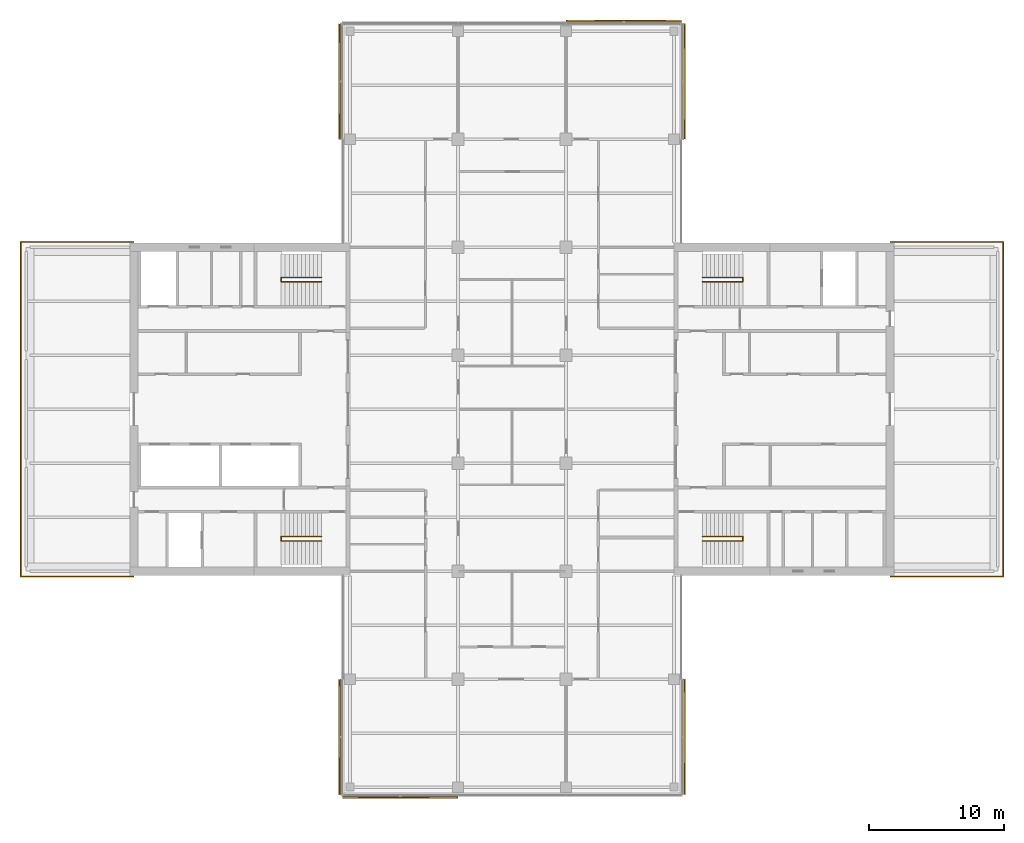
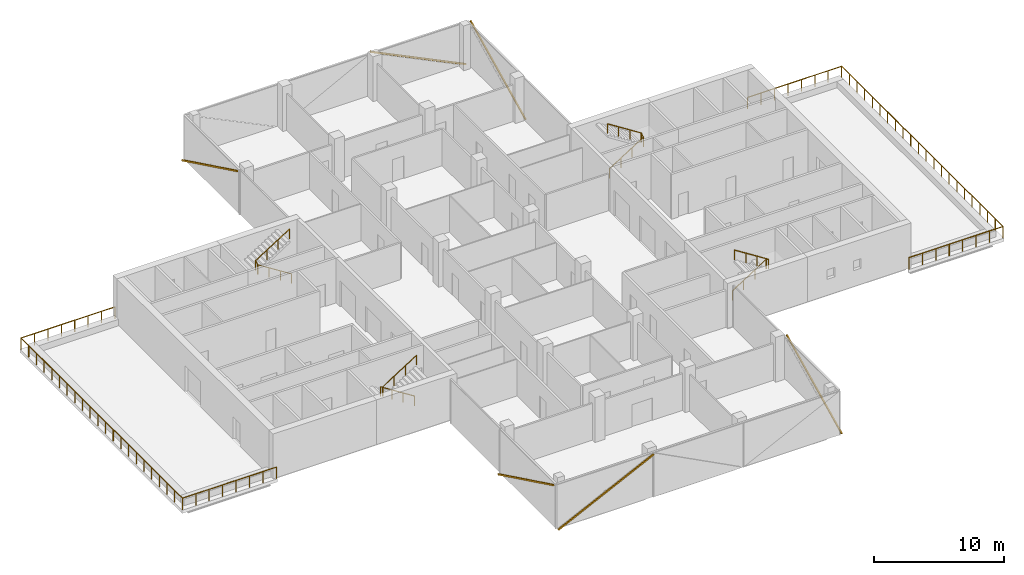
# One storey, part 18 of 18: 6 railings, 6 shading devices, 6 elements without a shape of their own.
"""IFC4 building model written with IfcOpenShell, lengths in metres."""

import ifcopenshell
import ifcopenshell.guid

model = None  # the IFC model being written
_history = None  # IfcOwnerHistory: only IFC2X3 demands one
_inside = {}  # id of a spatial element -> (the spatial element, [elements in it])
_under = {}  # id of a project, library or spatial element -> (it, [spatial elements below it])
_declared = {}  # id of a project -> (the project, [libraries it declares])
_typed = {}  # id of a type object -> (the type object, [elements of that type])
_made_of = {}  # id of a material, layer set ... -> (it, [elements and type objects made of it])


def new_model(schema):
    """Start an empty IFC model of exactly this schema.

    Asked for "IFC4X3", IfcOpenShell would pick the latest addendum, in which some entities
    have other attributes; the version numbers below select the first issue.
    IFC2X3 requires an IfcOwnerHistory on every rooted entity: one is made here for all.
    """
    global model, _history
    if schema == "IFC4X3":
        model = ifcopenshell.file(schema_version=(4, 3, 0, 0))
    else:
        model = ifcopenshell.file(schema=schema)
    _inside.clear()
    _under.clear()
    _declared.clear()
    _typed.clear()
    _made_of.clear()
    _history = None
    if model.schema == "IFC2X3":
        org = make("IfcOrganization", Name="unknown")
        user = make(
            "IfcPersonAndOrganization",
            ThePerson=make("IfcPerson", FamilyName="unknown"),
            TheOrganization=org,
        )
        app = make(
            "IfcApplication",
            ApplicationDeveloper=org,
            Version="unknown",
            ApplicationFullName="unknown",
            ApplicationIdentifier="unknown",
        )
        _history = make(
            "IfcOwnerHistory",
            OwningUser=user,
            OwningApplication=app,
            ChangeAction="ADDED",
            CreationDate=0,
        )
    return model


def make(cls, **values):
    """One entity of the class cls with the attributes given. An attribute that is None is left unset."""
    return model.create_entity(
        cls, **{name: value for name, value in values.items() if value is not None}
    )


def rooted(cls, **values):
    """An entity with a GlobalId (a new one), such as an element, a storey or a relation."""
    return make(cls, GlobalId=ifcopenshell.guid.new(), OwnerHistory=_history, **values)


def si_unit(unit_type, name, prefix=None):
    """IfcSIUnit, for example si_unit("LENGTHUNIT", "METRE", prefix="MILLI")."""
    return make("IfcSIUnit", UnitType=unit_type, Prefix=prefix, Name=name)


def assignment(units):
    """IfcUnitAssignment: the units of a project."""
    return None if units is None else make("IfcUnitAssignment", Units=units)


def point(xyz):
    """IfcCartesianPoint."""
    return None if xyz is None else make("IfcCartesianPoint", Coordinates=xyz)


def direction(xyz):
    """IfcDirection."""
    return None if xyz is None else make("IfcDirection", DirectionRatios=xyz)


def frame(location, z_axis=None, x_axis=None):
    """IfcAxis2Placement3D, a coordinate frame: its origin and axes. An axis left out is left unset."""
    return make(
        "IfcAxis2Placement3D",
        Location=point(location),
        Axis=direction(z_axis),
        RefDirection=direction(x_axis),
    )


def frame_2d(location, x_axis=None):
    """IfcAxis2Placement2D, a coordinate frame in the plane: its origin and x axis."""
    return make(
        "IfcAxis2Placement2D", Location=point(location), RefDirection=direction(x_axis)
    )


def origin():
    """The frame at (0, 0, 0) with its axes left unset."""
    return frame((0.0, 0.0, 0.0))


def origin_2d():
    """The frame at (0, 0) in the plane with its x axis left unset."""
    return frame_2d((0.0, 0.0))


def place(relative_to, where):
    """IfcLocalPlacement: puts the frame where relative to a parent placement (None: the world)."""
    return make(
        "IfcLocalPlacement", PlacementRelTo=relative_to, RelativePlacement=where
    )


def context(
    kind, dimensions, precision=None, world=None, true_north=None, identifier=None
):
    """IfcGeometricRepresentationContext, for example the 3D "Model" context."""
    return make(
        "IfcGeometricRepresentationContext",
        ContextIdentifier=identifier,
        ContextType=kind,
        CoordinateSpaceDimension=dimensions,
        Precision=precision,
        WorldCoordinateSystem=world,
        TrueNorth=true_north,
    )


def subcontext(parent, identifier, kind, view, scale=None):
    """IfcGeometricRepresentationSubContext, for example "Body" below "Model"."""
    return make(
        "IfcGeometricRepresentationSubContext",
        ContextIdentifier=identifier,
        ContextType=kind,
        ParentContext=parent,
        TargetScale=scale,
        TargetView=view,
    )


def project(units=None, contexts=None):
    """IfcProject with its units and contexts."""
    return rooted(
        "IfcProject",
        Name="project",
        RepresentationContexts=contexts,
        UnitsInContext=assignment(units),
    )


def spatial(cls, under=None, at=None, **own):
    """A site, building, storey or space (cls), placed at a placement, below another one or the project."""
    s = rooted(cls, ObjectPlacement=at, **own)
    if under is not None:
        _under.setdefault(under.id(), (under, []))[1].append(s)
    return s


def profile(cls, at=None, kind="AREA", **sizes):
    """A parametric profile (cls). Its sizes go by their IFC names, for example OverallWidth=200.0."""
    return make(cls, ProfileType=kind, Position=at, **sizes)


def rectangle(**sizes):
    """IfcRectangleProfileDef."""
    return profile("IfcRectangleProfileDef", **sizes)


def circle(**sizes):
    """IfcCircleProfileDef."""
    return profile("IfcCircleProfileDef", **sizes)


def extrude(swept, where, along, depth):
    """IfcExtrudedAreaSolid: the profile swept, set in the frame where, extruded along a direction by depth."""
    return make(
        "IfcExtrudedAreaSolid",
        SweptArea=swept,
        Position=where,
        ExtrudedDirection=direction(along),
        Depth=depth,
    )


def shape(context_of_items, identifier, shape_type, items):
    """IfcShapeRepresentation: the items that make up one representation, for example the "Body"."""
    return make(
        "IfcShapeRepresentation",
        ContextOfItems=context_of_items,
        RepresentationIdentifier=identifier,
        RepresentationType=shape_type,
        Items=items,
    )


def material(Name=None, Category=None):
    """IfcMaterial."""
    return make("IfcMaterial", Name=Name, Category=Category)


def material_profile(
    of_material, cross_section, Name=None, Category=None, Priority=None
):
    """IfcMaterialProfile: a cross section and its material."""
    return make(
        "IfcMaterialProfile",
        Name=Name,
        Material=of_material,
        Profile=cross_section,
        Priority=Priority,
        Category=Category,
    )


def profile_set(profiles, Name=None, composite=None):
    """IfcMaterialProfileSet."""
    return make(
        "IfcMaterialProfileSet",
        Name=Name,
        MaterialProfiles=profiles,
        CompositeProfile=composite,
    )


def made_of(thing, what):
    """Note that an element or type object is made of a material, layer set ...; save() writes the relation."""
    if what is not None:
        _made_of.setdefault(what.id(), (what, []))[1].append(thing)
    return thing


def type_object(cls, material=None, **own):
    """A type object (cls), such as IfcWallType, which elements share."""
    return made_of(rooted(cls, **own), material)


def element(
    cls,
    number,
    at=None,
    inside=None,
    cuts=None,
    type_object=None,
    material=None,
    context=None,
    identifier="Body",
    shape_type=None,
    held_by="IfcProductDefinitionShape",
    body=None,
    shapes=None,
    **own,
):
    """One element of the class cls, such as IfcWall. Its Tag is "e" and its number.

    at: its placement. inside: the storey or other place that contains it. cuts: it is an
    opening in that element (IfcRelVoidsElement). A single representation is given by context,
    identifier, shape_type and body (its items); several are given by shapes. held_by: the class
    of the entity that holds the representations. save() writes the other relations.
    """
    e = rooted(cls, Tag="e%d" % number, ObjectPlacement=at, **own)
    if body is not None:
        shapes = [shape(context, identifier, shape_type, body)]
    if shapes is not None:
        e.Representation = make(held_by, Representations=shapes)
    if inside is not None:
        _inside.setdefault(inside.id(), (inside, []))[1].append(e)
    if cuts is not None:
        rooted(
            "IfcRelVoidsElement", RelatingBuildingElement=cuts, RelatedOpeningElement=e
        )
    if type_object is not None:
        _typed.setdefault(type_object.id(), (type_object, []))[1].append(e)
    return made_of(e, material)


def aggregate(whole, parts):
    """IfcRelAggregates: a whole, such as a stair, and the parts it consists of."""
    return rooted("IfcRelAggregates", RelatingObject=whole, RelatedObjects=parts)


def save(model, path):
    """Write the relations noted so far, then the file.

    IfcRelAggregates (storeys below a building ...), IfcRelContainedInSpatialStructure (elements
    in a storey), IfcRelDefinesByType, IfcRelAssociatesMaterial and IfcRelDeclares: one each for
    every whole, place, type object, material and project.
    """
    for whole, parts in _under.values():
        aggregate(whole, parts)
    for where, things in _inside.values():
        rooted(
            "IfcRelContainedInSpatialStructure",
            RelatedElements=things,
            RelatingStructure=where,
        )
    for kind, things in _typed.values():
        rooted("IfcRelDefinesByType", RelatedObjects=things, RelatingType=kind)
    for what, things in _made_of.values():
        rooted("IfcRelAssociatesMaterial", RelatedObjects=things, RelatingMaterial=what)
    for by, libraries in _declared.values():
        rooted("IfcRelDeclares", RelatingContext=by, RelatedDefinitions=libraries)
    model.write(path)


model = new_model("IFC4")

# Units and contexts
model_context = context("Model", 3, precision=1e-05, world=origin(), true_north=direction((0.0, 1.0)))
body_context = subcontext(model_context, "Body", "Model", "MODEL_VIEW")
ifc_project = project(units=[si_unit("LENGTHUNIT", "METRE"), si_unit("AREAUNIT", "SQUARE_METRE"), si_unit("VOLUMEUNIT", "CUBIC_METRE"), si_unit("PLANEANGLEUNIT", "RADIAN"), si_unit("MASSUNIT", "GRAM", prefix="KILO")], contexts=[model_context])

# Site, building, storey
site_placement = place(None, origin())
site = spatial("IfcSite", under=ifc_project, at=site_placement, CompositionType="ELEMENT")
building_placement = place(site_placement, origin())
building = spatial("IfcBuilding", under=site, at=building_placement, Name="Crosswind Convention Tower", CompositionType="ELEMENT")
storey_placement = place(building_placement, frame((0.0, 0.0, 178.89990234375)))
storey = spatial("IfcBuildingStorey", under=building, at=storey_placement, Name="L37", CompositionType="ELEMENT", Elevation=178.89990234375)

# Railings
ifc_material_1 = material(Name="Stainless steel", Category="steel")
railing_type_1 = type_object("IfcRailingType", Name="Stair handrail 900", PredefinedType="HANDRAIL", material=ifc_material_1)
railing_1_placement = place(storey_placement, frame((139.10009765625, 109.43994140625, 0.19091796875)))
element("IfcRailing", 1, at=railing_1_placement, inside=storey, type_object=railing_type_1, Name="Stair ST1 handrail L37", PredefinedType="HANDRAIL", context=body_context, shape_type="SweptSolid", body=[
    extrude(circle(Radius=0.02392578125, at=origin_2d()), frame((0.0, 0.0, 0.8759765625), z_axis=(0.843650179428, 0.0, 0.536893261973), x_axis=(0.0, 1.0, 0.0)), (0.0, 0.0, 1.0), 3.555908203125),
    extrude(circle(Radius=0.02392578125, at=origin_2d()), frame((3.0, 0.0, 2.78515625), z_axis=(0.0, 0.858819504967, 0.512278301208), x_axis=(-1.0, 0.0, 0.0)), (0.0, 0.0, 1.0), 0.372802734375),
    extrude(circle(Radius=0.02392578125, at=origin_2d()), frame((3.0, 0.320068359375, 2.97607421875), z_axis=(-0.843650179428, 0.0, 0.536893261973), x_axis=(0.0, -1.0, 0.0)), (0.0, 0.0, 1.0), 3.555908203125),
    extrude(circle(Radius=0.02099609375, at=origin_2d()), origin(), (0.0, 0.0, 1.0), 0.851806640625),
    extrude(circle(Radius=0.02099609375, at=origin_2d()), frame((1.0, 0.0, 0.636474609375)), (0.0, 0.0, 1.0), 0.851806640625),
    extrude(circle(Radius=0.02099609375, at=origin_2d()), frame((2.0, 0.0, 1.272705078125)), (0.0, 0.0, 1.0), 0.851806640625),
    extrude(circle(Radius=0.02099609375, at=origin_2d()), frame((3.0, 0.0, 1.9091796875)), (0.0, 0.0, 1.0), 0.851806640625),
    extrude(circle(Radius=0.02099609375, at=origin_2d()), frame((3.0, 0.320068359375, 2.10009765625)), (0.0, 0.0, 1.0), 0.851806640625),
    extrude(circle(Radius=0.02099609375, at=origin_2d()), frame((2.0, 0.320068359375, 2.736572265625)), (0.0, 0.0, 1.0), 0.851806640625),
    extrude(circle(Radius=0.02099609375, at=origin_2d()), frame((1.0, 0.320068359375, 3.372802734375)), (0.0, 0.0, 1.0), 0.851806640625),
    extrude(circle(Radius=0.02099609375, at=origin_2d()), frame((0.0, 0.320068359375, 4.00927734375)), (0.0, 0.0, 1.0), 0.851806640625),
])
railing_2_placement = place(storey_placement, frame((139.10009765625, 90.56005859375, 0.19091796875)))
element("IfcRailing", 2, at=railing_2_placement, inside=storey, type_object=railing_type_1, Name="Stair ST2 handrail L37", PredefinedType="HANDRAIL", context=body_context, shape_type="SweptSolid", body=[
    extrude(circle(Radius=0.02392578125, at=origin_2d()), frame((0.0, 0.0, 0.8759765625), z_axis=(0.843650179428, 0.0, 0.536893261973), x_axis=(0.0, 1.0, 0.0)), (0.0, 0.0, 1.0), 3.555908203125),
    extrude(circle(Radius=0.02392578125, at=origin_2d()), frame((3.0, 0.0, 2.78515625), z_axis=(0.0, -0.858819504967, 0.512278301208), x_axis=(1.0, 0.0, 0.0)), (0.0, 0.0, 1.0), 0.372802734375),
    extrude(circle(Radius=0.02392578125, at=origin_2d()), frame((3.0, -0.320068359375, 2.97607421875), z_axis=(-0.843650179428, 0.0, 0.536893261973), x_axis=(0.0, -1.0, 0.0)), (0.0, 0.0, 1.0), 3.555908203125),
    extrude(circle(Radius=0.02099609375, at=origin_2d()), origin(), (0.0, 0.0, 1.0), 0.851806640625),
    extrude(circle(Radius=0.02099609375, at=origin_2d()), frame((1.0, 0.0, 0.636474609375)), (0.0, 0.0, 1.0), 0.851806640625),
    extrude(circle(Radius=0.02099609375, at=origin_2d()), frame((2.0, 0.0, 1.272705078125)), (0.0, 0.0, 1.0), 0.851806640625),
    extrude(circle(Radius=0.02099609375, at=origin_2d()), frame((3.0, 0.0, 1.9091796875)), (0.0, 0.0, 1.0), 0.851806640625),
    extrude(circle(Radius=0.02099609375, at=origin_2d()), frame((3.0, -0.320068359375, 2.10009765625)), (0.0, 0.0, 1.0), 0.851806640625),
    extrude(circle(Radius=0.02099609375, at=origin_2d()), frame((2.0, -0.320068359375, 2.736572265625)), (0.0, 0.0, 1.0), 0.851806640625),
    extrude(circle(Radius=0.02099609375, at=origin_2d()), frame((1.0, -0.320068359375, 3.372802734375)), (0.0, 0.0, 1.0), 0.851806640625),
    extrude(circle(Radius=0.02099609375, at=origin_2d()), frame((0.0, -0.320068359375, 4.00927734375)), (0.0, 0.0, 1.0), 0.851806640625),
])
railing_3_placement = place(storey_placement, frame((110.89990234375, 90.56005859375, 0.19091796875)))
element("IfcRailing", 3, at=railing_3_placement, inside=storey, type_object=railing_type_1, Name="Stair ST3 handrail L37", PredefinedType="HANDRAIL", context=body_context, shape_type="SweptSolid", body=[
    extrude(circle(Radius=0.02392578125, at=origin_2d()), frame((0.0, 0.0, 0.8759765625), z_axis=(-0.843650179428, 0.0, 0.536893261973), x_axis=(0.0, -1.0, 0.0)), (0.0, 0.0, 1.0), 3.555908203125),
    extrude(circle(Radius=0.02392578125, at=origin_2d()), frame((-3.0, 0.0, 2.78515625), z_axis=(0.0, -0.858819504967, 0.512278301208), x_axis=(1.0, 0.0, 0.0)), (0.0, 0.0, 1.0), 0.372802734375),
    extrude(circle(Radius=0.02392578125, at=origin_2d()), frame((-3.0, -0.320068359375, 2.97607421875), z_axis=(0.843650179428, 0.0, 0.536893261973), x_axis=(0.0, 1.0, 0.0)), (0.0, 0.0, 1.0), 3.555908203125),
    extrude(circle(Radius=0.02099609375, at=origin_2d()), origin(), (0.0, 0.0, 1.0), 0.851806640625),
    extrude(circle(Radius=0.02099609375, at=origin_2d()), frame((-1.0, 0.0, 0.636474609375)), (0.0, 0.0, 1.0), 0.851806640625),
    extrude(circle(Radius=0.02099609375, at=origin_2d()), frame((-2.0, 0.0, 1.272705078125)), (0.0, 0.0, 1.0), 0.851806640625),
    extrude(circle(Radius=0.02099609375, at=origin_2d()), frame((-3.0, 0.0, 1.9091796875)), (0.0, 0.0, 1.0), 0.851806640625),
    extrude(circle(Radius=0.02099609375, at=origin_2d()), frame((-3.0, -0.320068359375, 2.10009765625)), (0.0, 0.0, 1.0), 0.851806640625),
    extrude(circle(Radius=0.02099609375, at=origin_2d()), frame((-2.0, -0.320068359375, 2.736572265625)), (0.0, 0.0, 1.0), 0.851806640625),
    extrude(circle(Radius=0.02099609375, at=origin_2d()), frame((-1.0, -0.320068359375, 3.372802734375)), (0.0, 0.0, 1.0), 0.851806640625),
    extrude(circle(Radius=0.02099609375, at=origin_2d()), frame((0.0, -0.320068359375, 4.00927734375)), (0.0, 0.0, 1.0), 0.851806640625),
])
railing_4_placement = place(storey_placement, frame((110.89990234375, 109.43994140625, 0.19091796875)))
element("IfcRailing", 4, at=railing_4_placement, inside=storey, type_object=railing_type_1, Name="Stair ST4 handrail L37", PredefinedType="HANDRAIL", context=body_context, shape_type="SweptSolid", body=[
    extrude(circle(Radius=0.02392578125, at=origin_2d()), frame((0.0, 0.0, 0.8759765625), z_axis=(-0.843650179428, 0.0, 0.536893261973), x_axis=(0.0, -1.0, 0.0)), (0.0, 0.0, 1.0), 3.555908203125),
    extrude(circle(Radius=0.02392578125, at=origin_2d()), frame((-3.0, 0.0, 2.78515625), z_axis=(0.0, 0.858819504967, 0.512278301208), x_axis=(-1.0, 0.0, 0.0)), (0.0, 0.0, 1.0), 0.372802734375),
    extrude(circle(Radius=0.02392578125, at=origin_2d()), frame((-3.0, 0.320068359375, 2.97607421875), z_axis=(0.843650179428, 0.0, 0.536893261973), x_axis=(0.0, 1.0, 0.0)), (0.0, 0.0, 1.0), 3.555908203125),
    extrude(circle(Radius=0.02099609375, at=origin_2d()), origin(), (0.0, 0.0, 1.0), 0.851806640625),
    extrude(circle(Radius=0.02099609375, at=origin_2d()), frame((-1.0, 0.0, 0.636474609375)), (0.0, 0.0, 1.0), 0.851806640625),
    extrude(circle(Radius=0.02099609375, at=origin_2d()), frame((-2.0, 0.0, 1.272705078125)), (0.0, 0.0, 1.0), 0.851806640625),
    extrude(circle(Radius=0.02099609375, at=origin_2d()), frame((-3.0, 0.0, 1.9091796875)), (0.0, 0.0, 1.0), 0.851806640625),
    extrude(circle(Radius=0.02099609375, at=origin_2d()), frame((-3.0, 0.320068359375, 2.10009765625)), (0.0, 0.0, 1.0), 0.851806640625),
    extrude(circle(Radius=0.02099609375, at=origin_2d()), frame((-2.0, 0.320068359375, 2.736572265625)), (0.0, 0.0, 1.0), 0.851806640625),
    extrude(circle(Radius=0.02099609375, at=origin_2d()), frame((-1.0, 0.320068359375, 3.372802734375)), (0.0, 0.0, 1.0), 0.851806640625),
    extrude(circle(Radius=0.02099609375, at=origin_2d()), frame((0.0, 0.320068359375, 4.00927734375)), (0.0, 0.0, 1.0), 0.851806640625),
])
ifc_material_2 = material(Name="Steel and laminated glass guard", Category="steel")
railing_type_2 = type_object("IfcRailingType", Name="TERRACE GUARD 1100", PredefinedType="GUARDRAIL", material=ifc_material_2)
railing_5_placement = place(storey_placement, frame((96.93994140625, 87.610107421875, 0.0)))
element("IfcRailing", 5, at=railing_5_placement, inside=storey, type_object=railing_type_2, Name="R10 terrace guard L37 W 1", PredefinedType="GUARDRAIL", context=body_context, shape_type="SweptSolid", body=[
    extrude(circle(Radius=0.02392578125, at=origin_2d()), frame((0.0, 0.0, 1.076171875), z_axis=(-1.0, 0.0, 0.0), x_axis=(0.0, -1.0, 0.0)), (0.0, 0.0, 1.0), 8.329833984375),
    extrude(circle(Radius=0.02392578125, at=origin_2d()), frame((-8.329833984375, 0.0, 1.076171875), z_axis=(0.0, 1.0, 0.0), x_axis=(-1.0, 0.0, 0.0)), (0.0, 0.0, 1.0), 24.77978515625),
    extrude(circle(Radius=0.02392578125, at=origin_2d()), frame((-8.329833984375, 24.77978515625, 1.076171875), z_axis=(1.0, 0.0, 0.0), x_axis=(0.0, 1.0, 0.0)), (0.0, 0.0, 1.0), 8.329833984375),
    extrude(circle(Radius=0.02099609375, at=origin_2d()), origin(), (0.0, 0.0, 1.0), 1.052001953125),
    extrude(circle(Radius=0.02099609375, at=origin_2d()), frame((-1.18994140625, 0.0, 0.0)), (0.0, 0.0, 1.0), 1.052001953125),
    extrude(circle(Radius=0.02099609375, at=origin_2d()), frame((-2.3798828125, 0.0, 0.0)), (0.0, 0.0, 1.0), 1.052001953125),
    extrude(circle(Radius=0.02099609375, at=origin_2d()), frame((-3.56982421875, 0.0, 0.0)), (0.0, 0.0, 1.0), 1.052001953125),
    extrude(circle(Radius=0.02099609375, at=origin_2d()), frame((-4.760009765625, 0.0, 0.0)), (0.0, 0.0, 1.0), 1.052001953125),
    extrude(circle(Radius=0.02099609375, at=origin_2d()), frame((-5.949951171875, 0.0, 0.0)), (0.0, 0.0, 1.0), 1.052001953125),
    extrude(circle(Radius=0.02099609375, at=origin_2d()), frame((-7.139892578125, 0.0, 0.0)), (0.0, 0.0, 1.0), 1.052001953125),
    extrude(circle(Radius=0.02099609375, at=origin_2d()), frame((-8.329833984375, 0.0, 0.0)), (0.0, 0.0, 1.0), 1.052001953125),
    extrude(circle(Radius=0.02099609375, at=origin_2d()), frame((-8.329833984375, 1.179931640625, 0.0)), (0.0, 0.0, 1.0), 1.052001953125),
    extrude(circle(Radius=0.02099609375, at=origin_2d()), frame((-8.329833984375, 2.35986328125, 0.0)), (0.0, 0.0, 1.0), 1.052001953125),
    extrude(circle(Radius=0.02099609375, at=origin_2d()), frame((-8.329833984375, 3.5400390625, 0.0)), (0.0, 0.0, 1.0), 1.052001953125),
    extrude(circle(Radius=0.02099609375, at=origin_2d()), frame((-8.329833984375, 4.719970703125, 0.0)), (0.0, 0.0, 1.0), 1.052001953125),
    extrude(circle(Radius=0.02099609375, at=origin_2d()), frame((-8.329833984375, 5.89990234375, 0.0)), (0.0, 0.0, 1.0), 1.052001953125),
    extrude(circle(Radius=0.02099609375, at=origin_2d()), frame((-8.329833984375, 7.079833984375, 0.0)), (0.0, 0.0, 1.0), 1.052001953125),
    extrude(circle(Radius=0.02099609375, at=origin_2d()), frame((-8.329833984375, 8.260009765625, 0.0)), (0.0, 0.0, 1.0), 1.052001953125),
    extrude(circle(Radius=0.02099609375, at=origin_2d()), frame((-8.329833984375, 9.43994140625, 0.0)), (0.0, 0.0, 1.0), 1.052001953125),
    extrude(circle(Radius=0.02099609375, at=origin_2d()), frame((-8.329833984375, 10.619873046875, 0.0)), (0.0, 0.0, 1.0), 1.052001953125),
    extrude(circle(Radius=0.02099609375, at=origin_2d()), frame((-8.329833984375, 11.7998046875, 0.0)), (0.0, 0.0, 1.0), 1.052001953125),
    extrude(circle(Radius=0.02099609375, at=origin_2d()), frame((-8.329833984375, 12.97998046875, 0.0)), (0.0, 0.0, 1.0), 1.052001953125),
    extrude(circle(Radius=0.02099609375, at=origin_2d()), frame((-8.329833984375, 14.159912109375, 0.0)), (0.0, 0.0, 1.0), 1.052001953125),
    extrude(circle(Radius=0.02099609375, at=origin_2d()), frame((-8.329833984375, 15.33984375, 0.0)), (0.0, 0.0, 1.0), 1.052001953125),
    extrude(circle(Radius=0.02099609375, at=origin_2d()), frame((-8.329833984375, 16.519775390625, 0.0)), (0.0, 0.0, 1.0), 1.052001953125),
    extrude(circle(Radius=0.02099609375, at=origin_2d()), frame((-8.329833984375, 17.699951171875, 0.0)), (0.0, 0.0, 1.0), 1.052001953125),
    extrude(circle(Radius=0.02099609375, at=origin_2d()), frame((-8.329833984375, 18.8798828125, 0.0)), (0.0, 0.0, 1.0), 1.052001953125),
    extrude(circle(Radius=0.02099609375, at=origin_2d()), frame((-8.329833984375, 20.059814453125, 0.0)), (0.0, 0.0, 1.0), 1.052001953125),
    extrude(circle(Radius=0.02099609375, at=origin_2d()), frame((-8.329833984375, 21.23974609375, 0.0)), (0.0, 0.0, 1.0), 1.052001953125),
    extrude(circle(Radius=0.02099609375, at=origin_2d()), frame((-8.329833984375, 22.419921875, 0.0)), (0.0, 0.0, 1.0), 1.052001953125),
    extrude(circle(Radius=0.02099609375, at=origin_2d()), frame((-8.329833984375, 23.599853515625, 0.0)), (0.0, 0.0, 1.0), 1.052001953125),
    extrude(circle(Radius=0.02099609375, at=origin_2d()), frame((-8.329833984375, 24.77978515625, 0.0)), (0.0, 0.0, 1.0), 1.052001953125),
    extrude(circle(Radius=0.02099609375, at=origin_2d()), frame((-7.139892578125, 24.77978515625, 0.0)), (0.0, 0.0, 1.0), 1.052001953125),
    extrude(circle(Radius=0.02099609375, at=origin_2d()), frame((-5.949951171875, 24.77978515625, 0.0)), (0.0, 0.0, 1.0), 1.052001953125),
    extrude(circle(Radius=0.02099609375, at=origin_2d()), frame((-4.760009765625, 24.77978515625, 0.0)), (0.0, 0.0, 1.0), 1.052001953125),
    extrude(circle(Radius=0.02099609375, at=origin_2d()), frame((-3.56982421875, 24.77978515625, 0.0)), (0.0, 0.0, 1.0), 1.052001953125),
    extrude(circle(Radius=0.02099609375, at=origin_2d()), frame((-2.3798828125, 24.77978515625, 0.0)), (0.0, 0.0, 1.0), 1.052001953125),
    extrude(circle(Radius=0.02099609375, at=origin_2d()), frame((-1.18994140625, 24.77978515625, 0.0)), (0.0, 0.0, 1.0), 1.052001953125),
    extrude(circle(Radius=0.02099609375, at=origin_2d()), frame((0.0, 24.77978515625, 0.0)), (0.0, 0.0, 1.0), 1.052001953125),
])
railing_6_placement = place(storey_placement, frame((153.06005859375, 112.389892578125, 0.0)))
element("IfcRailing", 6, at=railing_6_placement, inside=storey, type_object=railing_type_2, Name="R10 terrace guard L37 E 1", PredefinedType="GUARDRAIL", context=body_context, shape_type="SweptSolid", body=[
    extrude(circle(Radius=0.02392578125, at=origin_2d()), frame((0.0, 0.0, 1.076171875), z_axis=(1.0, 0.0, 0.0), x_axis=(0.0, 1.0, 0.0)), (0.0, 0.0, 1.0), 8.329833984375),
    extrude(circle(Radius=0.02392578125, at=origin_2d()), frame((8.329833984375, 0.0, 1.076171875), z_axis=(0.0, -1.0, 0.0), x_axis=(1.0, 0.0, 0.0)), (0.0, 0.0, 1.0), 24.77978515625),
    extrude(circle(Radius=0.02392578125, at=origin_2d()), frame((8.329833984375, -24.77978515625, 1.076171875), z_axis=(-1.0, 0.0, 0.0), x_axis=(0.0, -1.0, 0.0)), (0.0, 0.0, 1.0), 8.329833984375),
    extrude(circle(Radius=0.02099609375, at=origin_2d()), origin(), (0.0, 0.0, 1.0), 1.052001953125),
    extrude(circle(Radius=0.02099609375, at=origin_2d()), frame((1.18994140625, 0.0, 0.0)), (0.0, 0.0, 1.0), 1.052001953125),
    extrude(circle(Radius=0.02099609375, at=origin_2d()), frame((2.3798828125, 0.0, 0.0)), (0.0, 0.0, 1.0), 1.052001953125),
    extrude(circle(Radius=0.02099609375, at=origin_2d()), frame((3.56982421875, 0.0, 0.0)), (0.0, 0.0, 1.0), 1.052001953125),
    extrude(circle(Radius=0.02099609375, at=origin_2d()), frame((4.760009765625, 0.0, 0.0)), (0.0, 0.0, 1.0), 1.052001953125),
    extrude(circle(Radius=0.02099609375, at=origin_2d()), frame((5.949951171875, 0.0, 0.0)), (0.0, 0.0, 1.0), 1.052001953125),
    extrude(circle(Radius=0.02099609375, at=origin_2d()), frame((7.139892578125, 0.0, 0.0)), (0.0, 0.0, 1.0), 1.052001953125),
    extrude(circle(Radius=0.02099609375, at=origin_2d()), frame((8.329833984375, 0.0, 0.0)), (0.0, 0.0, 1.0), 1.052001953125),
    extrude(circle(Radius=0.02099609375, at=origin_2d()), frame((8.329833984375, -1.179931640625, 0.0)), (0.0, 0.0, 1.0), 1.052001953125),
    extrude(circle(Radius=0.02099609375, at=origin_2d()), frame((8.329833984375, -2.35986328125, 0.0)), (0.0, 0.0, 1.0), 1.052001953125),
    extrude(circle(Radius=0.02099609375, at=origin_2d()), frame((8.329833984375, -3.5400390625, 0.0)), (0.0, 0.0, 1.0), 1.052001953125),
    extrude(circle(Radius=0.02099609375, at=origin_2d()), frame((8.329833984375, -4.719970703125, 0.0)), (0.0, 0.0, 1.0), 1.052001953125),
    extrude(circle(Radius=0.02099609375, at=origin_2d()), frame((8.329833984375, -5.89990234375, 0.0)), (0.0, 0.0, 1.0), 1.052001953125),
    extrude(circle(Radius=0.02099609375, at=origin_2d()), frame((8.329833984375, -7.079833984375, 0.0)), (0.0, 0.0, 1.0), 1.052001953125),
    extrude(circle(Radius=0.02099609375, at=origin_2d()), frame((8.329833984375, -8.260009765625, 0.0)), (0.0, 0.0, 1.0), 1.052001953125),
    extrude(circle(Radius=0.02099609375, at=origin_2d()), frame((8.329833984375, -9.43994140625, 0.0)), (0.0, 0.0, 1.0), 1.052001953125),
    extrude(circle(Radius=0.02099609375, at=origin_2d()), frame((8.329833984375, -10.619873046875, 0.0)), (0.0, 0.0, 1.0), 1.052001953125),
    extrude(circle(Radius=0.02099609375, at=origin_2d()), frame((8.329833984375, -11.7998046875, 0.0)), (0.0, 0.0, 1.0), 1.052001953125),
    extrude(circle(Radius=0.02099609375, at=origin_2d()), frame((8.329833984375, -12.97998046875, 0.0)), (0.0, 0.0, 1.0), 1.052001953125),
    extrude(circle(Radius=0.02099609375, at=origin_2d()), frame((8.329833984375, -14.159912109375, 0.0)), (0.0, 0.0, 1.0), 1.052001953125),
    extrude(circle(Radius=0.02099609375, at=origin_2d()), frame((8.329833984375, -15.33984375, 0.0)), (0.0, 0.0, 1.0), 1.052001953125),
    extrude(circle(Radius=0.02099609375, at=origin_2d()), frame((8.329833984375, -16.519775390625, 0.0)), (0.0, 0.0, 1.0), 1.052001953125),
    extrude(circle(Radius=0.02099609375, at=origin_2d()), frame((8.329833984375, -17.699951171875, 0.0)), (0.0, 0.0, 1.0), 1.052001953125),
    extrude(circle(Radius=0.02099609375, at=origin_2d()), frame((8.329833984375, -18.8798828125, 0.0)), (0.0, 0.0, 1.0), 1.052001953125),
    extrude(circle(Radius=0.02099609375, at=origin_2d()), frame((8.329833984375, -20.059814453125, 0.0)), (0.0, 0.0, 1.0), 1.052001953125),
    extrude(circle(Radius=0.02099609375, at=origin_2d()), frame((8.329833984375, -21.23974609375, 0.0)), (0.0, 0.0, 1.0), 1.052001953125),
    extrude(circle(Radius=0.02099609375, at=origin_2d()), frame((8.329833984375, -22.419921875, 0.0)), (0.0, 0.0, 1.0), 1.052001953125),
    extrude(circle(Radius=0.02099609375, at=origin_2d()), frame((8.329833984375, -23.599853515625, 0.0)), (0.0, 0.0, 1.0), 1.052001953125),
    extrude(circle(Radius=0.02099609375, at=origin_2d()), frame((8.329833984375, -24.77978515625, 0.0)), (0.0, 0.0, 1.0), 1.052001953125),
    extrude(circle(Radius=0.02099609375, at=origin_2d()), frame((7.139892578125, -24.77978515625, 0.0)), (0.0, 0.0, 1.0), 1.052001953125),
    extrude(circle(Radius=0.02099609375, at=origin_2d()), frame((5.949951171875, -24.77978515625, 0.0)), (0.0, 0.0, 1.0), 1.052001953125),
    extrude(circle(Radius=0.02099609375, at=origin_2d()), frame((4.760009765625, -24.77978515625, 0.0)), (0.0, 0.0, 1.0), 1.052001953125),
    extrude(circle(Radius=0.02099609375, at=origin_2d()), frame((3.56982421875, -24.77978515625, 0.0)), (0.0, 0.0, 1.0), 1.052001953125),
    extrude(circle(Radius=0.02099609375, at=origin_2d()), frame((2.3798828125, -24.77978515625, 0.0)), (0.0, 0.0, 1.0), 1.052001953125),
    extrude(circle(Radius=0.02099609375, at=origin_2d()), frame((1.18994140625, -24.77978515625, 0.0)), (0.0, 0.0, 1.0), 1.052001953125),
    extrude(circle(Radius=0.02099609375, at=origin_2d()), frame((0.0, -24.77978515625, 0.0)), (0.0, 0.0, 1.0), 1.052001953125),
])

# Curtain wall, shading device
ifc_material_3 = material(Name="Aluminium unitised curtain wall", Category="aluminium")
curtain_wall_type = type_object("IfcCurtainWallType", Name="OFFICE UNITISED WALL 220", PredefinedType="USERDEFINED", material=ifc_material_3)
curtain_wall_1_placement = place(storey_placement, origin())
curtain_wall_1 = element("IfcCurtainWall", 7, at=curtain_wall_1_placement, inside=storey, type_object=curtain_wall_type, Name="CW3 L37 N-E 1", ObjectType="UNITISED", PredefinedType="USERDEFINED")
ifc_material_4 = material(Name="Extruded terracotta", Category="masonry")
ifc_material_profile = material_profile(ifc_material_4, rectangle(XDim=0.110107421875, YDim=0.1298828125, at=origin_2d()), Name="TC 110X130")
ifc_profile_set = profile_set([ifc_material_profile], Name="Extruded terracotta")
shading_device_type = type_object("IfcShadingDeviceType", Name="TERRACOTTA BAGUETTE 130X110", PredefinedType="USERDEFINED", material=ifc_profile_set)
shading_device_1_placement = place(storey_placement, frame((137.781005859375, 120.034912109375, -0.2998046875), z_axis=(0.0, 0.899251034354, 0.437432940248), x_axis=(-1.0, 0.0, 0.0)))
shading_device_1 = element("IfcShadingDevice", 8, at=shading_device_1_placement, type_object=shading_device_type, Name="CW3 terracotta baguette 1", ObjectType="BAGUETTE", PredefinedType="USERDEFINED", context=body_context, shape_type="SweptSolid", body=[
    extrude(rectangle(XDim=0.110107421875, YDim=0.1298828125, at=origin_2d()), origin(), (0.0, 0.0, 1.0), 9.441162109375),
])
aggregate(curtain_wall_1, [shading_device_1])

curtain_wall_2_placement = place(storey_placement, origin())
curtain_wall_2 = element("IfcCurtainWall", 9, at=curtain_wall_2_placement, inside=storey, type_object=curtain_wall_type, Name="CW3 L37 N-TIP 1", ObjectType="UNITISED", PredefinedType="USERDEFINED")
shading_device_2_placement = place(storey_placement, frame((137.52490234375, 128.781005859375, -0.2998046875), z_axis=(-0.899251034354, 0.0, 0.437432940248), x_axis=(0.0, -1.0, 0.0)))
shading_device_2 = element("IfcShadingDevice", 10, at=shading_device_2_placement, type_object=shading_device_type, Name="CW3 terracotta baguette 1", ObjectType="BAGUETTE", PredefinedType="USERDEFINED", context=body_context, shape_type="SweptSolid", body=[
    extrude(rectangle(XDim=0.110107421875, YDim=0.1298828125, at=origin_2d()), origin(), (0.0, 0.0, 1.0), 9.441162109375),
])
aggregate(curtain_wall_2, [shading_device_2])

curtain_wall_3_placement = place(storey_placement, origin())
curtain_wall_3 = element("IfcCurtainWall", 11, at=curtain_wall_3_placement, inside=storey, type_object=curtain_wall_type, Name="CW3 L37 N-W 1", ObjectType="UNITISED", PredefinedType="USERDEFINED")
shading_device_3_placement = place(storey_placement, frame((112.218994140625, 128.52490234375, -0.2998046875), z_axis=(0.0, -0.899251034354, 0.437432940248), x_axis=(1.0, 0.0, 0.0)))
shading_device_3 = element("IfcShadingDevice", 12, at=shading_device_3_placement, type_object=shading_device_type, Name="CW3 terracotta baguette 1", ObjectType="BAGUETTE", PredefinedType="USERDEFINED", context=body_context, shape_type="SweptSolid", body=[
    extrude(rectangle(XDim=0.110107421875, YDim=0.1298828125, at=origin_2d()), origin(), (0.0, 0.0, 1.0), 9.441162109375),
])
aggregate(curtain_wall_3, [shading_device_3])

curtain_wall_4_placement = place(storey_placement, origin())
curtain_wall_4 = element("IfcCurtainWall", 13, at=curtain_wall_4_placement, inside=storey, type_object=curtain_wall_type, Name="CW3 L37 S-W 1", ObjectType="UNITISED", PredefinedType="USERDEFINED")
shading_device_4_placement = place(storey_placement, frame((112.218994140625, 79.965087890625, -0.2998046875), z_axis=(0.0, -0.899251034354, 0.437432940248), x_axis=(1.0, 0.0, 0.0)))
shading_device_4 = element("IfcShadingDevice", 14, at=shading_device_4_placement, type_object=shading_device_type, Name="CW3 terracotta baguette 1", ObjectType="BAGUETTE", PredefinedType="USERDEFINED", context=body_context, shape_type="SweptSolid", body=[
    extrude(rectangle(XDim=0.110107421875, YDim=0.1298828125, at=origin_2d()), origin(), (0.0, 0.0, 1.0), 9.441162109375),
])
aggregate(curtain_wall_4, [shading_device_4])

curtain_wall_5_placement = place(storey_placement, origin())
curtain_wall_5 = element("IfcCurtainWall", 15, at=curtain_wall_5_placement, inside=storey, type_object=curtain_wall_type, Name="CW3 L37 S-TIP 1", ObjectType="UNITISED", PredefinedType="USERDEFINED")
shading_device_5_placement = place(storey_placement, frame((112.47509765625, 71.218994140625, -0.2998046875), z_axis=(0.899251034354, 0.0, 0.437432940248), x_axis=(0.0, 1.0, 0.0)))
shading_device_5 = element("IfcShadingDevice", 16, at=shading_device_5_placement, type_object=shading_device_type, Name="CW3 terracotta baguette 1", ObjectType="BAGUETTE", PredefinedType="USERDEFINED", context=body_context, shape_type="SweptSolid", body=[
    extrude(rectangle(XDim=0.110107421875, YDim=0.1298828125, at=origin_2d()), origin(), (0.0, 0.0, 1.0), 9.441162109375),
])
aggregate(curtain_wall_5, [shading_device_5])

curtain_wall_6_placement = place(storey_placement, origin())
curtain_wall_6 = element("IfcCurtainWall", 17, at=curtain_wall_6_placement, inside=storey, type_object=curtain_wall_type, Name="CW3 L37 S-E 1", ObjectType="UNITISED", PredefinedType="USERDEFINED")
shading_device_6_placement = place(storey_placement, frame((137.781005859375, 71.47509765625, -0.2998046875), z_axis=(0.0, 0.899251034354, 0.437432940248), x_axis=(-1.0, 0.0, 0.0)))
shading_device_6 = element("IfcShadingDevice", 18, at=shading_device_6_placement, type_object=shading_device_type, Name="CW3 terracotta baguette 1", ObjectType="BAGUETTE", PredefinedType="USERDEFINED", context=body_context, shape_type="SweptSolid", body=[
    extrude(rectangle(XDim=0.110107421875, YDim=0.1298828125, at=origin_2d()), origin(), (0.0, 0.0, 1.0), 9.441162109375),
])
aggregate(curtain_wall_6, [shading_device_6])

save(model, "model.ifc")
